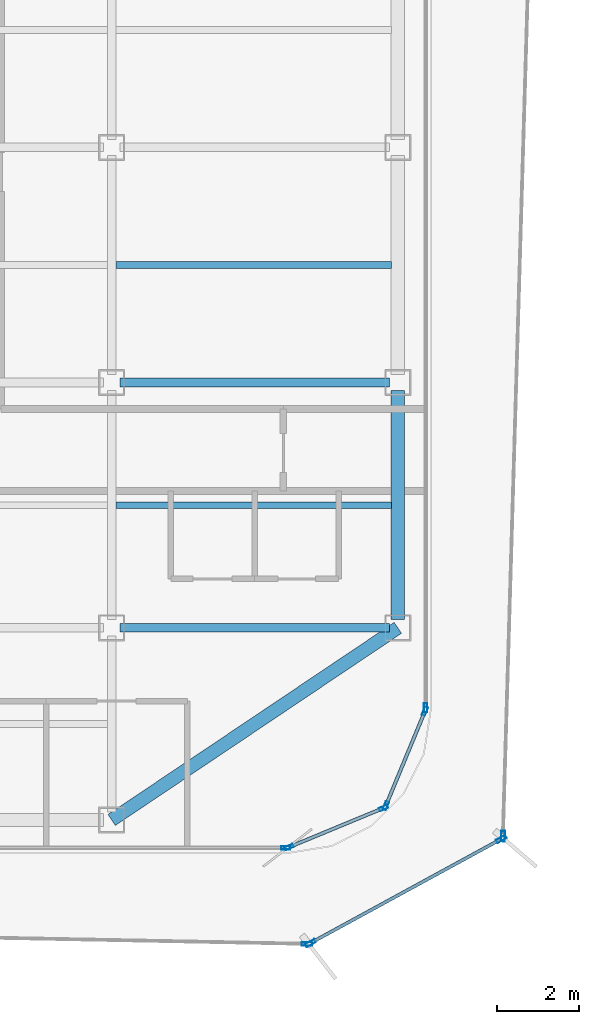
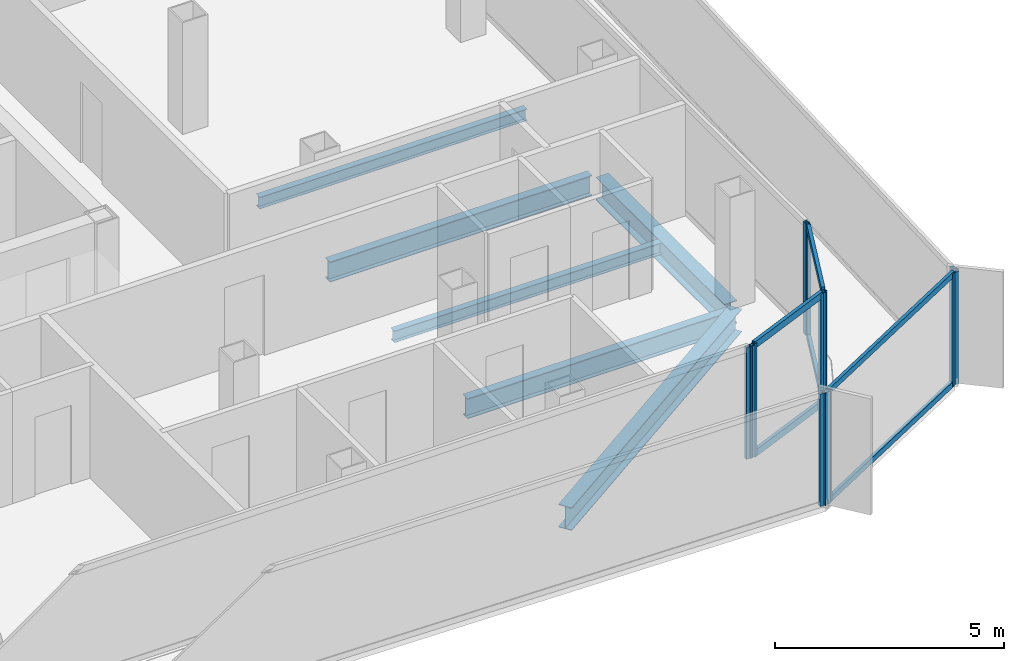
# One storey, part 4 of 15: 16 members, 6 beams, 7 elements without a shape of their own.
"""IFC4 building model written with IfcOpenShell, lengths in metres."""

from ifc_helpers import new_model, si_unit, direction, frame, origin, origin_2d, place, context, subcontext, project, spatial, hollow_rectangle, i_section, extrude, source, transform, mapped, material, layer, layer_set, material_profile, profile_set, type_object, element, aggregate, save


model = new_model("IFC4")

# Units and contexts
model_context = context("Model", 3, precision=1e-05, world=origin(), true_north=direction((0.0, 1.0)))
body_context = subcontext(model_context, "Body", "Model", "MODEL_VIEW")
ifc_project = project(units=[si_unit("LENGTHUNIT", "METRE"), si_unit("AREAUNIT", "SQUARE_METRE"), si_unit("VOLUMEUNIT", "CUBIC_METRE"), si_unit("PLANEANGLEUNIT", "RADIAN"), si_unit("MASSUNIT", "GRAM", prefix="KILO")], contexts=[model_context])

# Site, building, storey
site_placement = place(None, origin())
site = spatial("IfcSite", under=ifc_project, at=site_placement, CompositionType="ELEMENT")
building_placement = place(site_placement, origin())
building = spatial("IfcBuilding", under=site, at=building_placement, Name="Kolveth Station Tower", CompositionType="ELEMENT")
storey_placement = place(building_placement, frame((0.0, 0.0, 258.5)))
storey = spatial("IfcBuildingStorey", under=building, at=storey_placement, Name="L74", CompositionType="ELEMENT", Elevation=258.5)

# Beams
ifc_material_1 = material(Name="Steel S355", Category="steel")
ifc_material_profile_1 = material_profile(ifc_material_1, i_section(OverallWidth=0.323974609375, OverallDepth=0.611083984375, WebThickness=0.0126953125, FlangeThickness=0.01904296875, at=origin_2d()), Name="W610x155")
ifc_profile_set_1 = profile_set([ifc_material_profile_1], Name="Steel S355")
beam_type_1 = type_object("IfcBeamType", Name="Beam_SP2", PredefinedType="SPANDREL", material=ifc_profile_set_1)
shared_shape_1 = source(origin(), body_context, "Body", "SweptSolid", [
    extrude(i_section(OverallWidth=0.323974609375, OverallDepth=0.611083984375, WebThickness=0.0126953125, FlangeThickness=0.01904296875, at=origin_2d()), origin(), (0.0, 0.0, 1.0), 8.431396484375),
])
beam_1_placement = place(storey_placement, frame((34.0, 0.800048828125, -0.525390625), z_axis=(0.830223811004, 0.557430196206, 0.0), x_axis=(-0.557430196206, 0.830223811004, 0.0)))
element("IfcBeam", 1, at=beam_1_placement, inside=storey, type_object=beam_type_1, Name="L74 Corner Edge Girder BM-L74-CNR-SE", PredefinedType="SPANDREL", context=body_context, shape_type="MappedRepresentation", body=[
    mapped(shared_shape_1, transform((0.0, 0.0, 0.0), x_axis=(1.0, 0.0, 0.0), y_axis=(0.0, 1.0, 0.0), z_axis=(0.0, 0.0, 1.0), scale=1.0)),
])
shared_shape_2 = source(origin(), body_context, "Body", "SweptSolid", [
    extrude(i_section(OverallWidth=0.323974609375, OverallDepth=0.611083984375, WebThickness=0.0126953125, FlangeThickness=0.01904296875, at=origin_2d()), origin(), (0.0, 0.0, 1.0), 5.60009765625),
])
beam_2_placement = place(storey_placement, frame((41.0, 5.699951171875, -0.525390625), z_axis=(0.0, 1.0, 0.0), x_axis=(-1.0, 0.0, 0.0)))
element("IfcBeam", 2, at=beam_2_placement, inside=storey, type_object=beam_type_1, Name="L74 Perimeter Spandrel BM-L74-PE-1", PredefinedType="SPANDREL", context=body_context, shape_type="MappedRepresentation", body=[
    mapped(shared_shape_2, transform((0.0, 0.0, 0.0), x_axis=(1.0, 0.0, 0.0), y_axis=(0.0, 1.0, 0.0), z_axis=(0.0, 0.0, 1.0), scale=1.0)),
])
ifc_material_profile_2 = material_profile(ifc_material_1, i_section(OverallWidth=0.2099609375, OverallDepth=0.537109375, WebThickness=0.010986328125, FlangeThickness=0.017333984375, at=origin_2d()), Name="W530x101")
ifc_profile_set_2 = profile_set([ifc_material_profile_2], Name="Steel S355")
beam_type_2 = type_object("IfcBeamType", Name="Beam_B6", PredefinedType="BEAM", material=ifc_profile_set_2)
shared_shape_3 = source(origin(), body_context, "Body", "SweptSolid", [
    extrude(i_section(OverallWidth=0.2099609375, OverallDepth=0.537109375, WebThickness=0.010986328125, FlangeThickness=0.017333984375, at=origin_2d()), origin(), (0.0, 0.0, 1.0), 6.60009765625),
])
for number, where, z_axis, x_axis, name in (
    (3, (34.199951171875, 5.5, -0.488525390625), (1.0, 0.0, 0.0), (0.0, 1.0, 0.0), "L74 Primary Girder BM-L74-GY55-5"),
    (4, (34.199951171875, 11.5, -0.488525390625), (1.0, 0.0, 0.0), (0.0, 1.0, 0.0), "L74 Primary Girder BM-L74-GY115-5"),
):
    element("IfcBeam", number, at=place(storey_placement, frame(where, z_axis=z_axis, x_axis=x_axis)), inside=storey, type_object=beam_type_2, Name=name, PredefinedType="BEAM", context=body_context, shape_type="MappedRepresentation", body=[
        mapped(shared_shape_3, transform((0.0, 0.0, 0.0), x_axis=(1.0, 0.0, 0.0), y_axis=(0.0, 1.0, 0.0), z_axis=(0.0, 0.0, 1.0), scale=1.0)),
    ])
ifc_material_profile_3 = material_profile(ifc_material_1, i_section(OverallWidth=0.1650390625, OverallDepth=0.31005859375, WebThickness=0.005859375, FlangeThickness=0.009765625, at=origin_2d()), Name="W310x39")
ifc_profile_set_3 = profile_set([ifc_material_profile_3], Name="Steel S355")
beam_type_3 = type_object("IfcBeamType", Name="Beam_J3", PredefinedType="JOIST", material=ifc_profile_set_3)
shared_shape_4 = source(origin(), body_context, "Body", "SweptSolid", [
    extrude(i_section(OverallWidth=0.1650390625, OverallDepth=0.31005859375, WebThickness=0.005859375, FlangeThickness=0.009765625, at=origin_2d()), origin(), (0.0, 0.0, 1.0), 6.737060546875),
])
for number, where, z_axis, x_axis, name in (
    (5, (34.10302734375, 8.5, -0.375), (1.0, 0.0, 0.0), (0.0, 1.0, 0.0), "L74 Secondary Joist JST-L74-5-2"),
    (6, (34.10302734375, 14.375, -0.375), (1.0, 0.0, 0.0), (0.0, 1.0, 0.0), "L74 Secondary Joist JST-L74-5-3"),
):
    element("IfcBeam", number, at=place(storey_placement, frame(where, z_axis=z_axis, x_axis=x_axis)), inside=storey, type_object=beam_type_3, Name=name, PredefinedType="JOIST", context=body_context, shape_type="MappedRepresentation", body=[
        mapped(shared_shape_4, transform((0.0, 0.0, 0.0), x_axis=(1.0, 0.0, 0.0), y_axis=(0.0, 1.0, 0.0), z_axis=(0.0, 0.0, 1.0), scale=1.0)),
    ])

# Curtain wall, members
ifc_material_2 = material(Name="Black anodized aluminium 6063-T6 and dark solar glass", Category="aluminium")
ifc_layer_1 = layer(ifc_material_2, 0.159912109375)
ifc_layer_set_1 = layer_set([ifc_layer_1], Name="Black anodized aluminium 6063-T6 and dark solar glass")
curtain_wall_type_1 = type_object("IfcCurtainWallType", Name="OUTER SKIN CW-OS", PredefinedType="NOTDEFINED", material=ifc_layer_set_1)
curtain_wall_1_placement = place(storey_placement, origin())
curtain_wall_1 = element("IfcCurtainWall", 7, at=curtain_wall_1_placement, inside=storey, type_object=curtain_wall_type_1, Name="L74 Outer Ventilated Skin Curtain Wall 1", PredefinedType="NOTDEFINED")
ifc_material_3 = material(Name="Black anodized aluminium 6063-T6", Category="aluminium")
ifc_material_profile_4 = material_profile(ifc_material_3, hollow_rectangle(XDim=0.090087890625, YDim=0.260009765625, WallThickness=0.0048828125, at=origin_2d()), Name="ALU-90x260x5")
ifc_profile_set_4 = profile_set([ifc_material_profile_4], Name="Black anodized aluminium 6063-T6")
member_type_1 = type_object("IfcMemberType", Name="FIN MULLION ML-OS", PredefinedType="MULLION", material=ifc_profile_set_4)
shared_shape_5 = source(origin(), body_context, "Body", "SweptSolid", [
    extrude(hollow_rectangle(XDim=0.090087890625, YDim=0.260009765625, WallThickness=0.0048828125, at=origin_2d()), origin(), (0.0, 0.0, 1.0), 2.989990234375),
])
member_1_placement = place(storey_placement, frame((38.861328125, -2.211669921875, 0.0), z_axis=(0.0, 0.0, 1.0), x_axis=(-0.478951811215, 0.877841194371, 0.0)))
member_1 = element("IfcMember", 8, at=member_1_placement, type_object=member_type_1, Name="CW-OS mullion 1", PredefinedType="MULLION", context=body_context, shape_type="MappedRepresentation", body=[
    mapped(shared_shape_5, transform((0.0, 0.0, 0.0), x_axis=(1.0, 0.0, 0.0), y_axis=(0.0, 1.0, 0.0), z_axis=(0.0, 0.0, 1.0), scale=1.0)),
])
member_2_placement = place(storey_placement, frame((43.533203125, 0.33740234375, 0.0), z_axis=(0.0, 0.0, 1.0), x_axis=(-0.478951811215, 0.877841194371, 0.0)))
member_2 = element("IfcMember", 9, at=member_2_placement, type_object=member_type_1, Name="CW-OS mullion 2", PredefinedType="MULLION", context=body_context, shape_type="MappedRepresentation", body=[
    mapped(shared_shape_5, transform((0.0, 0.0, 0.0), x_axis=(1.0, 0.0, 0.0), y_axis=(0.0, 1.0, 0.0), z_axis=(0.0, 0.0, 1.0), scale=1.0)),
])

# Curtain wall, member
curtain_wall_2_placement = place(storey_placement, origin())
curtain_wall_2 = element("IfcCurtainWall", 10, at=curtain_wall_2_placement, inside=storey, type_object=curtain_wall_type_1, Name="L74 Outer Ventilated Skin Curtain Wall 2", PredefinedType="NOTDEFINED")
member_3_placement = place(storey_placement, frame((43.573974609375, 0.40380859375, 0.0), z_axis=(0.0, 0.0, 1.0), x_axis=(-0.999566757924, 0.029432914465, 0.0)))
member_3 = element("IfcMember", 11, at=member_3_placement, type_object=member_type_1, Name="CW-OS mullion 1", PredefinedType="MULLION", context=body_context, shape_type="MappedRepresentation", body=[
    mapped(shared_shape_5, transform((0.0, 0.0, 0.0), x_axis=(1.0, 0.0, 0.0), y_axis=(0.0, 1.0, 0.0), z_axis=(0.0, 0.0, 1.0), scale=1.0)),
])
aggregate(curtain_wall_2, [member_3])

curtain_wall_3_placement = place(storey_placement, origin())
curtain_wall_3 = element("IfcCurtainWall", 12, at=curtain_wall_3_placement, inside=storey, type_object=curtain_wall_type_1, Name="L74 Outer Ventilated Skin Curtain Wall 8", PredefinedType="NOTDEFINED")
member_4_placement = place(storey_placement, frame((38.77685546875, -2.232421875, 0.0), z_axis=(0.0, 0.0, 1.0), x_axis=(0.019466025632, 0.999810518972, 0.0)))
member_4 = element("IfcMember", 13, at=member_4_placement, type_object=member_type_1, Name="CW-OS mullion 2", PredefinedType="MULLION", context=body_context, shape_type="MappedRepresentation", body=[
    mapped(shared_shape_5, transform((0.0, 0.0, 0.0), x_axis=(1.0, 0.0, 0.0), y_axis=(0.0, 1.0, 0.0), z_axis=(0.0, 0.0, 1.0), scale=1.0)),
])
aggregate(curtain_wall_3, [member_4])

# Curtain wall, members
ifc_material_4 = material(Name="Aluminium 6063-T6 and triple low-E dark glass", Category="aluminium")
ifc_layer_2 = layer(ifc_material_4, 0.199951171875)
ifc_layer_set_2 = layer_set([ifc_layer_2], Name="Aluminium 6063-T6 and triple low-E dark glass")
curtain_wall_type_2 = type_object("IfcCurtainWallType", Name="CurtainWall_CW-Z3", PredefinedType="NOTDEFINED", material=ifc_layer_set_2)
curtain_wall_4_placement = place(storey_placement, origin())
curtain_wall_4 = element("IfcCurtainWall", 14, at=curtain_wall_4_placement, inside=storey, type_object=curtain_wall_type_2, Name="L74 Inner Thermal Curtain Wall 1", PredefinedType="NOTDEFINED")
ifc_material_profile_5 = material_profile(ifc_material_3, hollow_rectangle(XDim=0.0849609375, YDim=0.215087890625, WallThickness=0.0048828125, at=origin_2d()), Name="ALU-85x215x5")
ifc_profile_set_5 = profile_set([ifc_material_profile_5], Name="Black anodized aluminium 6063-T6")
member_type_2 = type_object("IfcMemberType", Name="Mullion_ML3", PredefinedType="MULLION", material=ifc_profile_set_5)
shared_shape_6 = source(origin(), body_context, "Body", "SweptSolid", [
    extrude(hollow_rectangle(XDim=0.0849609375, YDim=0.215087890625, WallThickness=0.0048828125, at=origin_2d()), origin(), (0.0, 0.0, 1.0), 2.97998046875),
])
member_5_placement = place(storey_placement, frame((38.33935546875, 0.13623046875, 0.0), z_axis=(0.0, 0.0, 1.0), x_axis=(-0.382693194181, 0.923875488975, 0.0)))
member_5 = element("IfcMember", 15, at=member_5_placement, type_object=member_type_2, Name="CW-Z3 mullion 1", PredefinedType="MULLION", context=body_context, shape_type="MappedRepresentation", body=[
    mapped(shared_shape_6, transform((0.0, 0.0, 0.0), x_axis=(1.0, 0.0, 0.0), y_axis=(0.0, 1.0, 0.0), z_axis=(0.0, 0.0, 1.0), scale=1.0)),
])
member_6_placement = place(storey_placement, frame((40.650634765625, 1.09375, 0.0), z_axis=(0.0, 0.0, 1.0), x_axis=(-0.382693194181, 0.923875488975, 0.0)))
member_6 = element("IfcMember", 16, at=member_6_placement, type_object=member_type_2, Name="CW-Z3 mullion 2", PredefinedType="MULLION", context=body_context, shape_type="MappedRepresentation", body=[
    mapped(shared_shape_6, transform((0.0, 0.0, 0.0), x_axis=(1.0, 0.0, 0.0), y_axis=(0.0, 1.0, 0.0), z_axis=(0.0, 0.0, 1.0), scale=1.0)),
])

curtain_wall_5_placement = place(storey_placement, origin())
curtain_wall_5 = element("IfcCurtainWall", 17, at=curtain_wall_5_placement, inside=storey, type_object=curtain_wall_type_2, Name="L74 Inner Thermal Curtain Wall 2", PredefinedType="NOTDEFINED")
member_7_placement = place(storey_placement, frame((40.706298828125, 1.149169921875, 0.0), z_axis=(0.0, 0.0, 1.0), x_axis=(-0.923875488975, 0.382693194181, 0.0)))
member_7 = element("IfcMember", 18, at=member_7_placement, type_object=member_type_2, Name="CW-Z3 mullion 1", PredefinedType="MULLION", context=body_context, shape_type="MappedRepresentation", body=[
    mapped(shared_shape_6, transform((0.0, 0.0, 0.0), x_axis=(1.0, 0.0, 0.0), y_axis=(0.0, 1.0, 0.0), z_axis=(0.0, 0.0, 1.0), scale=1.0)),
])
member_8_placement = place(storey_placement, frame((41.663818359375, 3.460693359375, 0.0), z_axis=(0.0, 0.0, 1.0), x_axis=(-0.923875488975, 0.382693194181, 0.0)))
member_8 = element("IfcMember", 19, at=member_8_placement, type_object=member_type_2, Name="CW-Z3 mullion 2", PredefinedType="MULLION", context=body_context, shape_type="MappedRepresentation", body=[
    mapped(shared_shape_6, transform((0.0, 0.0, 0.0), x_axis=(1.0, 0.0, 0.0), y_axis=(0.0, 1.0, 0.0), z_axis=(0.0, 0.0, 1.0), scale=1.0)),
])

# Curtain wall, member
curtain_wall_6_placement = place(storey_placement, origin())
curtain_wall_6 = element("IfcCurtainWall", 20, at=curtain_wall_6_placement, inside=storey, type_object=curtain_wall_type_2, Name="L74 Inner Thermal Curtain Wall 3", PredefinedType="NOTDEFINED")
member_9_placement = place(storey_placement, frame((41.679931640625, 3.54248046875, 0.0), z_axis=(0.0, 0.0, 1.0), x_axis=(-1.0, 0.0, 0.0)))
member_9 = element("IfcMember", 21, at=member_9_placement, type_object=member_type_2, Name="CW-Z3 mullion 1", PredefinedType="MULLION", context=body_context, shape_type="MappedRepresentation", body=[
    mapped(shared_shape_6, transform((0.0, 0.0, 0.0), x_axis=(1.0, 0.0, 0.0), y_axis=(0.0, 1.0, 0.0), z_axis=(0.0, 0.0, 1.0), scale=1.0)),
])
aggregate(curtain_wall_6, [member_9])

curtain_wall_7_placement = place(storey_placement, origin())
curtain_wall_7 = element("IfcCurtainWall", 22, at=curtain_wall_7_placement, inside=storey, type_object=curtain_wall_type_2, Name="L74 Inner Thermal Curtain Wall 12", PredefinedType="NOTDEFINED")
member_10_placement = place(storey_placement, frame((38.257568359375, 0.1201171875, 0.0), z_axis=(0.0, 0.0, 1.0), x_axis=(0.0, 1.0, 0.0)))
member_10 = element("IfcMember", 23, at=member_10_placement, type_object=member_type_2, Name="CW-Z3 mullion 2", PredefinedType="MULLION", context=body_context, shape_type="MappedRepresentation", body=[
    mapped(shared_shape_6, transform((0.0, 0.0, 0.0), x_axis=(1.0, 0.0, 0.0), y_axis=(0.0, 1.0, 0.0), z_axis=(0.0, 0.0, 1.0), scale=1.0)),
])
aggregate(curtain_wall_7, [member_10])

# Member
ifc_material_profile_6 = material_profile(ifc_material_3, hollow_rectangle(XDim=0.0849609375, YDim=0.179931640625, WallThickness=0.0048828125, at=origin_2d()), Name="ALU-85x180x5")
ifc_profile_set_6 = profile_set([ifc_material_profile_6], Name="Black anodized aluminium 6063-T6")
member_type_3 = type_object("IfcMemberType", Name="Transom_TR3", PredefinedType="USERDEFINED", material=ifc_profile_set_6)
shared_shape_7 = source(origin(), body_context, "Body", "SweptSolid", [
    extrude(hollow_rectangle(XDim=0.0849609375, YDim=0.179931640625, WallThickness=0.0048828125, at=origin_2d()), origin(), (0.0, 0.0, 1.0), 2.4169921875),
])
member_11_placement = place(storey_placement, frame((38.37841796875, 0.152587890625, 0.04248046875), z_axis=(0.923908507952, 0.382613471971, 0.0), x_axis=(-0.382613471971, 0.923908507952, 0.0)))
member_11 = element("IfcMember", 24, at=member_11_placement, type_object=member_type_3, Name="CW-Z3 transom 1.1", ObjectType="TRANSOM", PredefinedType="USERDEFINED", context=body_context, shape_type="MappedRepresentation", body=[
    mapped(shared_shape_7, transform((0.0, 0.0, 0.0), x_axis=(1.0, 0.0, 0.0), y_axis=(0.0, 1.0, 0.0), z_axis=(0.0, 0.0, 1.0), scale=1.0)),
])

member_12_placement = place(storey_placement, frame((38.37841796875, 0.152587890625, 2.9375), z_axis=(0.923908507952, 0.382613471971, 0.0), x_axis=(-0.382613471971, 0.923908507952, 0.0)))
member_12 = element("IfcMember", 25, at=member_12_placement, type_object=member_type_3, Name="CW-Z3 transom 1.2", ObjectType="TRANSOM", PredefinedType="USERDEFINED", context=body_context, shape_type="MappedRepresentation", body=[
    mapped(shared_shape_7, transform((0.0, 0.0, 0.0), x_axis=(1.0, 0.0, 0.0), y_axis=(0.0, 1.0, 0.0), z_axis=(0.0, 0.0, 1.0), scale=1.0)),
])

aggregate(curtain_wall_4, [member_5, member_6, member_11, member_12])

member_13_placement = place(storey_placement, frame((40.722412109375, 1.1884765625, 0.04248046875), z_axis=(0.382735401206, 0.9238580046, 0.0), x_axis=(-0.9238580046, 0.382735401206, 0.0)))
member_13 = element("IfcMember", 26, at=member_13_placement, type_object=member_type_3, Name="CW-Z3 transom 1.1", ObjectType="TRANSOM", PredefinedType="USERDEFINED", context=body_context, shape_type="MappedRepresentation", body=[
    mapped(shared_shape_7, transform((0.0, 0.0, 0.0), x_axis=(1.0, 0.0, 0.0), y_axis=(0.0, 1.0, 0.0), z_axis=(0.0, 0.0, 1.0), scale=1.0)),
])

member_14_placement = place(storey_placement, frame((40.722412109375, 1.1884765625, 2.9375), z_axis=(0.382735401206, 0.9238580046, 0.0), x_axis=(-0.9238580046, 0.382735401206, 0.0)))
member_14 = element("IfcMember", 27, at=member_14_placement, type_object=member_type_3, Name="CW-Z3 transom 1.2", ObjectType="TRANSOM", PredefinedType="USERDEFINED", context=body_context, shape_type="MappedRepresentation", body=[
    mapped(shared_shape_7, transform((0.0, 0.0, 0.0), x_axis=(1.0, 0.0, 0.0), y_axis=(0.0, 1.0, 0.0), z_axis=(0.0, 0.0, 1.0), scale=1.0)),
])

aggregate(curtain_wall_5, [member_7, member_8, member_13, member_14])

ifc_material_profile_7 = material_profile(ifc_material_3, hollow_rectangle(XDim=0.080078125, YDim=0.14990234375, WallThickness=0.0048828125, at=origin_2d()), Name="ALU-80x150x5")
ifc_profile_set_7 = profile_set([ifc_material_profile_7], Name="Black anodized aluminium 6063-T6")
member_type_4 = type_object("IfcMemberType", Name="Transom_TR-OS", PredefinedType="USERDEFINED", material=ifc_profile_set_7)
shared_shape_8 = source(origin(), body_context, "Body", "SweptSolid", [
    extrude(hollow_rectangle(XDim=0.080078125, YDim=0.14990234375, WallThickness=0.0048828125, at=origin_2d()), origin(), (0.0, 0.0, 1.0), 5.23193359375),
])
member_15_placement = place(storey_placement, frame((38.90087890625, -2.190185546875, 0.0400390625), z_axis=(0.877838500181, 0.478956749195, 0.0), x_axis=(-0.478956749195, 0.877838500181, 0.0)))
member_15 = element("IfcMember", 28, at=member_15_placement, type_object=member_type_4, Name="CW-OS transom 1.1", ObjectType="TRANSOM", PredefinedType="USERDEFINED", context=body_context, shape_type="MappedRepresentation", body=[
    mapped(shared_shape_8, transform((0.0, 0.0, 0.0), x_axis=(1.0, 0.0, 0.0), y_axis=(0.0, 1.0, 0.0), z_axis=(0.0, 0.0, 1.0), scale=1.0)),
])

member_16_placement = place(storey_placement, frame((38.90087890625, -2.190185546875, 2.949951171875), z_axis=(0.877838500181, 0.478956749195, 0.0), x_axis=(-0.478956749195, 0.877838500181, 0.0)))
member_16 = element("IfcMember", 29, at=member_16_placement, type_object=member_type_4, Name="CW-OS transom 1.2", ObjectType="TRANSOM", PredefinedType="USERDEFINED", context=body_context, shape_type="MappedRepresentation", body=[
    mapped(shared_shape_8, transform((0.0, 0.0, 0.0), x_axis=(1.0, 0.0, 0.0), y_axis=(0.0, 1.0, 0.0), z_axis=(0.0, 0.0, 1.0), scale=1.0)),
])

aggregate(curtain_wall_1, [member_1, member_2, member_15, member_16])

save(model, "model.ifc")
